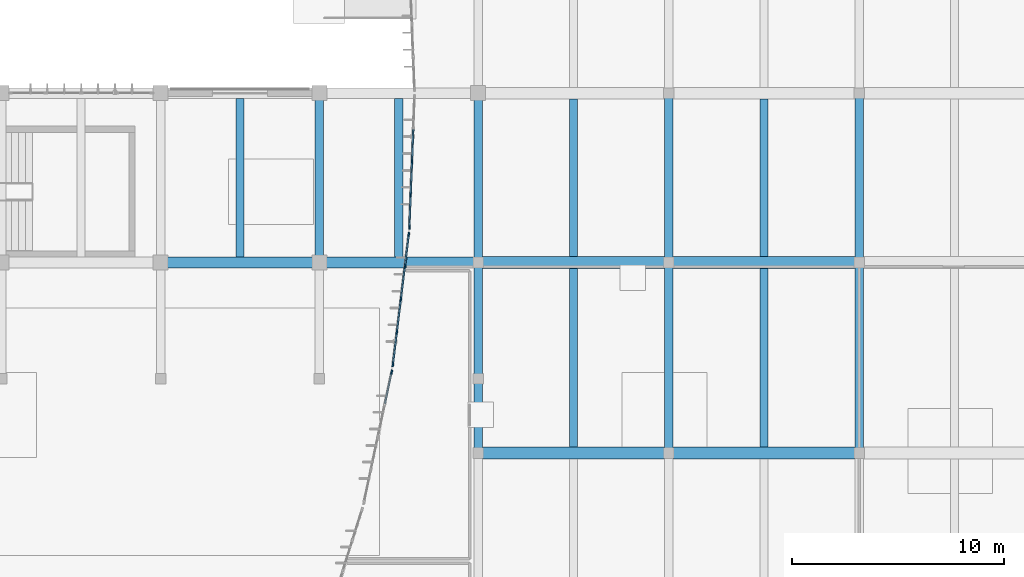
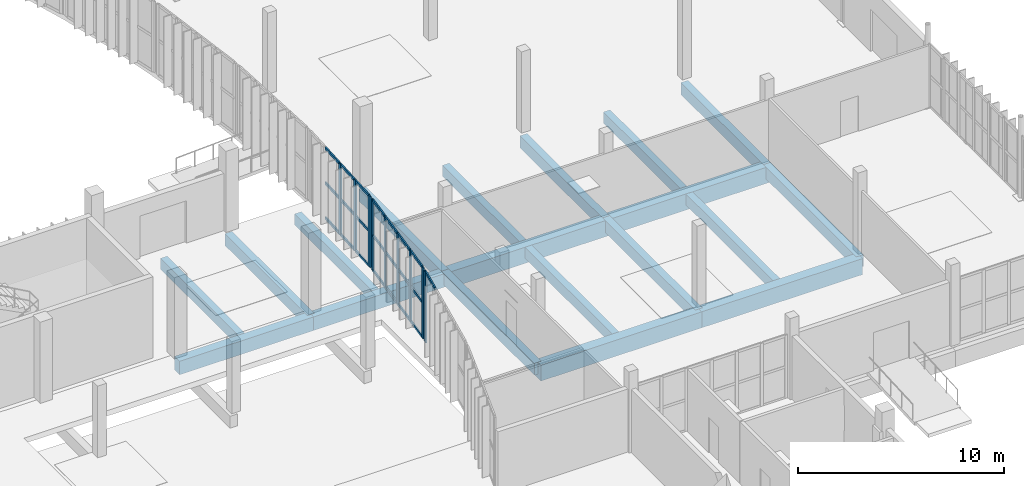
# One storey, part 26 of 72: 31 members, 19 beams, 3 elements without a shape of their own.
"""IFC4 building model written with IfcOpenShell, lengths in metres."""

from ifc_helpers import new_model, si_unit, direction, frame, origin, origin_2d, place, context, subcontext, project, spatial, rectangle, extrude, material, material_profile, profile_set, type_object, element, aggregate, save


model = new_model("IFC4")

# Units and contexts
model_context = context("Model", 3, precision=1e-05, world=origin(), true_north=direction((0.0, 1.0)))
body_context = subcontext(model_context, "Body", "Model", "MODEL_VIEW")
ifc_project = project(units=[si_unit("LENGTHUNIT", "METRE"), si_unit("AREAUNIT", "SQUARE_METRE"), si_unit("VOLUMEUNIT", "CUBIC_METRE"), si_unit("PLANEANGLEUNIT", "RADIAN"), si_unit("MASSUNIT", "GRAM", prefix="KILO")], contexts=[model_context])

# Site, building, storey
site_placement = place(None, origin())
site = spatial("IfcSite", under=ifc_project, at=site_placement, CompositionType="ELEMENT")
building_placement = place(site_placement, origin())
building = spatial("IfcBuilding", under=site, at=building_placement, Name="Vourika Railside Aquatics Centre", CompositionType="ELEMENT")
storey_placement = place(building_placement, origin())
storey = spatial("IfcBuildingStorey", under=building, at=storey_placement, Name="L00", CompositionType="ELEMENT", Elevation=0.0)

# Beams
ifc_material_1 = material(Name="Concrete C35/45", Category="concrete")
ifc_material_profile_1 = material_profile(ifc_material_1, rectangle(XDim=0.39990234375, YDim=0.699951171875, at=origin_2d()), Name="RC 400x700")
ifc_profile_set_1 = profile_set([ifc_material_profile_1], Name="Concrete C35/45")
beam_type_1 = type_object("IfcBeamType", Name="BM-GIRD-400x700", PredefinedType="BEAM", material=ifc_profile_set_1)
beam_1_placement = place(storey_placement, frame((133.5, 58.0, -0.669921875), z_axis=(0.0, 1.0, 0.0), x_axis=(-1.0, 0.0, 0.0)))
element("IfcBeam", 1, at=beam_1_placement, inside=storey, type_object=beam_type_1, Name="Floor Girder GY-L00-313", PredefinedType="BEAM", context=body_context, shape_type="SweptSolid", body=[
    extrude(rectangle(XDim=0.39990234375, YDim=0.699951171875, at=origin_2d()), origin(), (0.0, 0.0, 1.0), 8.0),
])
beam_2_placement = place(storey_placement, frame((141.0, 49.0, -0.669921875), z_axis=(0.0, 1.0, 0.0), x_axis=(-1.0, 0.0, 0.0)))
element("IfcBeam", 2, at=beam_2_placement, inside=storey, type_object=beam_type_1, Name="Floor Girder GY-L00-322", PredefinedType="BEAM", context=body_context, shape_type="SweptSolid", body=[
    extrude(rectangle(XDim=0.39990234375, YDim=0.699951171875, at=origin_2d()), origin(), (0.0, 0.0, 1.0), 9.0),
])
beam_3_placement = place(storey_placement, frame((141.0, 58.0, -0.669921875), z_axis=(0.0, 1.0, 0.0), x_axis=(-1.0, 0.0, 0.0)))
element("IfcBeam", 3, at=beam_3_placement, inside=storey, type_object=beam_type_1, Name="Floor Girder GY-L00-323", PredefinedType="BEAM", context=body_context, shape_type="SweptSolid", body=[
    extrude(rectangle(XDim=0.39990234375, YDim=0.699951171875, at=origin_2d()), origin(), (0.0, 0.0, 1.0), 8.0),
])
beam_4_placement = place(storey_placement, frame((150.0, 49.0, -0.669921875), z_axis=(0.0, 1.0, 0.0), x_axis=(-1.0, 0.0, 0.0)))
element("IfcBeam", 4, at=beam_4_placement, inside=storey, type_object=beam_type_1, Name="Floor Girder GY-L00-333", PredefinedType="BEAM", context=body_context, shape_type="SweptSolid", body=[
    extrude(rectangle(XDim=0.39990234375, YDim=0.699951171875, at=origin_2d()), origin(), (0.0, 0.0, 1.0), 9.0),
])
beam_5_placement = place(storey_placement, frame((150.0, 58.0, -0.669921875), z_axis=(0.0, 1.0, 0.0), x_axis=(-1.0, 0.0, 0.0)))
element("IfcBeam", 5, at=beam_5_placement, inside=storey, type_object=beam_type_1, Name="Floor Girder GY-L00-334", PredefinedType="BEAM", context=body_context, shape_type="SweptSolid", body=[
    extrude(rectangle(XDim=0.39990234375, YDim=0.699951171875, at=origin_2d()), origin(), (0.0, 0.0, 1.0), 8.0),
])
beam_6_placement = place(storey_placement, frame((159.0, 49.0, -0.669921875), z_axis=(0.0, 1.0, 0.0), x_axis=(-1.0, 0.0, 0.0)))
element("IfcBeam", 6, at=beam_6_placement, inside=storey, type_object=beam_type_1, Name="Floor Girder GY-L00-339", PredefinedType="BEAM", context=body_context, shape_type="SweptSolid", body=[
    extrude(rectangle(XDim=0.39990234375, YDim=0.699951171875, at=origin_2d()), origin(), (0.0, 0.0, 1.0), 9.0),
])
beam_7_placement = place(storey_placement, frame((159.0, 58.0, -0.669921875), z_axis=(0.0, 1.0, 0.0), x_axis=(-1.0, 0.0, 0.0)))
element("IfcBeam", 7, at=beam_7_placement, inside=storey, type_object=beam_type_1, Name="Floor Girder GY-L00-340", PredefinedType="BEAM", context=body_context, shape_type="SweptSolid", body=[
    extrude(rectangle(XDim=0.39990234375, YDim=0.699951171875, at=origin_2d()), origin(), (0.0, 0.0, 1.0), 8.0),
])
ifc_material_2 = material(Name="Concrete C40/50", Category="concrete")
ifc_material_profile_2 = material_profile(ifc_material_2, rectangle(XDim=0.550048828125, YDim=0.949951171875, at=origin_2d()), Name="RC 550x950")
ifc_profile_set_2 = profile_set([ifc_material_profile_2], Name="Concrete C40/50")
beam_type_2 = type_object("IfcBeamType", Name="BM-GIRD-550x950", PredefinedType="BEAM", material=ifc_profile_set_2)
for number, where, z_axis, x_axis, name in (
    (8, (141.0, 49.0, -0.794921875), (1.0, 0.0, 0.0), (0.0, 1.0, 0.0), "Floor Beam GX-L00-071"),
    (9, (150.0, 49.0, -0.794921875), (1.0, 0.0, 0.0), (0.0, 1.0, 0.0), "Floor Beam GX-L00-072"),
    (10, (141.0, 58.0, -0.794921875), (1.0, 0.0, 0.0), (0.0, 1.0, 0.0), "Floor Beam GX-L00-092"),
    (11, (150.0, 58.0, -0.794921875), (1.0, 0.0, 0.0), (0.0, 1.0, 0.0), "Floor Beam GX-L00-093"),
):
    element("IfcBeam", number, at=place(storey_placement, frame(where, z_axis=z_axis, x_axis=x_axis)), inside=storey, type_object=beam_type_2, Name=name, PredefinedType="BEAM", context=body_context, shape_type="SweptSolid", body=[
        extrude(rectangle(XDim=0.550048828125, YDim=0.949951171875, at=origin_2d()), origin(), (0.0, 0.0, 1.0), 9.0),
    ])
ifc_material_profile_3 = material_profile(ifc_material_1, rectangle(XDim=0.3798828125, YDim=0.64990234375, at=origin_2d()), Name="RC 380x650")
ifc_profile_set_3 = profile_set([ifc_material_profile_3], Name="Concrete C35/45")
beam_type_3 = type_object("IfcBeamType", Name="BM-SEC-380x650", PredefinedType="JOIST", material=ifc_profile_set_3)
for number, where, z_axis, x_axis, name in (
    (12, (145.5, 49.27490234375, -0.64501953125), (0.0, 1.0, 0.0), (-1.0, 0.0, 0.0), "Secondary Joist JY-L00-397"),
    (13, (154.5, 49.27490234375, -0.64501953125), (0.0, 1.0, 0.0), (-1.0, 0.0, 0.0), "Secondary Joist JY-L00-398"),
):
    element("IfcBeam", number, at=place(storey_placement, frame(where, z_axis=z_axis, x_axis=x_axis)), inside=storey, type_object=beam_type_3, Name=name, PredefinedType="JOIST", context=body_context, shape_type="SweptSolid", body=[
        extrude(rectangle(XDim=0.3798828125, YDim=0.64990234375, at=origin_2d()), origin(), (0.0, 0.0, 1.0), 8.4501953125),
    ])
for number, where, z_axis, x_axis, name in (
    (14, (129.75, 58.25, -0.64501953125), (0.0, 1.0, 0.0), (-1.0, 0.0, 0.0), "Secondary Joist JY-L00-414"),
    (15, (137.25, 58.25, -0.64501953125), (0.0, 1.0, 0.0), (-1.0, 0.0, 0.0), "Secondary Joist JY-L00-415"),
):
    element("IfcBeam", number, at=place(storey_placement, frame(where, z_axis=z_axis, x_axis=x_axis)), inside=storey, type_object=beam_type_3, Name=name, PredefinedType="JOIST", context=body_context, shape_type="SweptSolid", body=[
        extrude(rectangle(XDim=0.3798828125, YDim=0.64990234375, at=origin_2d()), origin(), (0.0, 0.0, 1.0), 7.5),
    ])
for number, where, z_axis, x_axis, name in (
    (16, (145.5, 58.27490234375, -0.64501953125), (0.0, 1.0, 0.0), (-1.0, 0.0, 0.0), "Secondary Joist JY-L00-416"),
    (17, (154.5, 58.27490234375, -0.64501953125), (0.0, 1.0, 0.0), (-1.0, 0.0, 0.0), "Secondary Joist JY-L00-417"),
):
    element("IfcBeam", number, at=place(storey_placement, frame(where, z_axis=z_axis, x_axis=x_axis)), inside=storey, type_object=beam_type_3, Name=name, PredefinedType="JOIST", context=body_context, shape_type="SweptSolid", body=[
        extrude(rectangle(XDim=0.3798828125, YDim=0.64990234375, at=origin_2d()), origin(), (0.0, 0.0, 1.0), 7.4501953125),
    ])
ifc_material_profile_4 = material_profile(ifc_material_2, rectangle(XDim=0.5, YDim=0.800048828125, at=origin_2d()), Name="RC 500x800")
ifc_profile_set_4 = profile_set([ifc_material_profile_4], Name="Concrete C40/50")
beam_type_4 = type_object("IfcBeamType", Name="BM-TIE-500x800", PredefinedType="BEAM", material=ifc_profile_set_4)
for number, where, z_axis, x_axis, name in (
    (18, (126.0, 58.0, -0.719970703125), (1.0, 0.0, 0.0), (0.0, 1.0, 0.0), "Floor Beam GX-L00-090"),
    (19, (133.5, 58.0, -0.719970703125), (1.0, 0.0, 0.0), (0.0, 1.0, 0.0), "Floor Beam GX-L00-091"),
):
    element("IfcBeam", number, at=place(storey_placement, frame(where, z_axis=z_axis, x_axis=x_axis)), inside=storey, type_object=beam_type_4, Name=name, PredefinedType="BEAM", context=body_context, shape_type="SweptSolid", body=[
        extrude(rectangle(XDim=0.5, YDim=0.800048828125, at=origin_2d()), origin(), (0.0, 0.0, 1.0), 7.5),
    ])

# Curtain wall, member
ifc_material_3 = material(Name="Anodized thermally broken aluminium", Category="aluminium")
curtain_wall_type = type_object("IfcCurtainWallType", Name="CW-FOYC0", PredefinedType="NOTDEFINED", material=ifc_material_3)
curtain_wall_1_placement = place(storey_placement, origin())
curtain_wall_1 = element("IfcCurtainWall", 20, at=curtain_wall_1_placement, inside=storey, type_object=curtain_wall_type, Name="Curved Courtyard Foyer Curtain Wall L00-2", PredefinedType="NOTDEFINED")
ifc_material_4 = material(Name="Anodized aluminium mullion", Category="aluminium")
ifc_material_profile_5 = material_profile(ifc_material_4, rectangle(XDim=0.073974609375, YDim=0.195068359375, at=origin_2d()), Name="ALU-M 74x195")
ifc_profile_set_5 = profile_set([ifc_material_profile_5], Name="Anodized aluminium mullion")
member_type_1 = type_object("IfcMemberType", Name="CWM-FOYC0", PredefinedType="MULLION", material=ifc_profile_set_5)
member_1_placement = place(storey_placement, frame((136.914306640625, 52.82373046875, 0.0), z_axis=(0.0, 0.0, 1.0), x_axis=(0.978214773139, -0.207595418094, 0.0)))
member_1 = element("IfcMember", 21, at=member_1_placement, type_object=member_type_1, Name="CW07 mullion 1", PredefinedType="MULLION", context=body_context, shape_type="SweptSolid", body=[
    extrude(rectangle(XDim=0.073974609375, YDim=0.195068359375, at=origin_2d()), origin(), (0.0, 0.0, 1.0), 4.199951171875),
])

# Curtain wall, members
curtain_wall_2_placement = place(storey_placement, origin())
curtain_wall_2 = element("IfcCurtainWall", 22, at=curtain_wall_2_placement, inside=storey, type_object=curtain_wall_type, Name="Curved Courtyard Foyer Curtain Wall L00-3", PredefinedType="NOTDEFINED")
member_2_placement = place(storey_placement, frame((137.724609375, 59.3232421875, 0.0), z_axis=(0.0, 0.0, 1.0), x_axis=(0.992598563525, -0.121441721361, 0.0)))
member_2 = element("IfcMember", 23, at=member_2_placement, type_object=member_type_1, Name="CW07 mullion 1", PredefinedType="MULLION", context=body_context, shape_type="SweptSolid", body=[
    extrude(rectangle(XDim=0.073974609375, YDim=0.195068359375, at=origin_2d()), origin(), (0.0, 0.0, 1.0), 4.199951171875),
])
member_3_placement = place(storey_placement, frame((137.538818359375, 57.804931640625, 0.0), z_axis=(0.0, 0.0, 1.0), x_axis=(0.992598563525, -0.121441721361, 0.0)))
member_3 = element("IfcMember", 24, at=member_3_placement, type_object=member_type_1, Name="CW07 mullion 2", PredefinedType="MULLION", context=body_context, shape_type="SweptSolid", body=[
    extrude(rectangle(XDim=0.073974609375, YDim=0.195068359375, at=origin_2d()), origin(), (0.0, 0.0, 1.0), 4.199951171875),
])
member_4_placement = place(storey_placement, frame((137.348388671875, 56.25, 0.0), z_axis=(0.0, 0.0, 1.0), x_axis=(0.992598563525, -0.121441721361, 0.0)))
member_4 = element("IfcMember", 25, at=member_4_placement, type_object=member_type_1, Name="CW07 mullion 3", PredefinedType="MULLION", context=body_context, shape_type="SweptSolid", body=[
    extrude(rectangle(XDim=0.073974609375, YDim=0.195068359375, at=origin_2d()), origin(), (0.0, 0.0, 1.0), 4.199951171875),
])
member_5_placement = place(storey_placement, frame((137.158203125, 54.695068359375, 0.0), z_axis=(0.0, 0.0, 1.0), x_axis=(0.992598563525, -0.121441721361, 0.0)))
member_5 = element("IfcMember", 26, at=member_5_placement, type_object=member_type_1, Name="CW07 mullion 4", PredefinedType="MULLION", context=body_context, shape_type="SweptSolid", body=[
    extrude(rectangle(XDim=0.073974609375, YDim=0.195068359375, at=origin_2d()), origin(), (0.0, 0.0, 1.0), 4.199951171875),
])
member_6_placement = place(storey_placement, frame((136.972412109375, 53.1767578125, 0.0), z_axis=(0.0, 0.0, 1.0), x_axis=(0.992598563525, -0.121441721361, 0.0)))
member_6 = element("IfcMember", 27, at=member_6_placement, type_object=member_type_1, Name="CW07 mullion 5", PredefinedType="MULLION", context=body_context, shape_type="SweptSolid", body=[
    extrude(rectangle(XDim=0.073974609375, YDim=0.195068359375, at=origin_2d()), origin(), (0.0, 0.0, 1.0), 4.199951171875),
])

curtain_wall_3_placement = place(storey_placement, origin())
curtain_wall_3 = element("IfcCurtainWall", 28, at=curtain_wall_3_placement, inside=storey, type_object=curtain_wall_type, Name="Curved Courtyard Foyer Curtain Wall L00-4", PredefinedType="NOTDEFINED")
member_7_placement = place(storey_placement, frame((137.87548828125, 62.75, 0.0), z_axis=(0.0, 0.0, 1.0), x_axis=(0.999199675116, -0.040000115606, 0.0)))
member_7 = element("IfcMember", 29, at=member_7_placement, type_object=member_type_1, Name="CW07 mullion 3", PredefinedType="MULLION", context=body_context, shape_type="SweptSolid", body=[
    extrude(rectangle(XDim=0.073974609375, YDim=0.195068359375, at=origin_2d()), origin(), (0.0, 0.0, 1.0), 4.199951171875),
])
member_8_placement = place(storey_placement, frame((137.813232421875, 61.195068359375, 0.0), z_axis=(0.0, 0.0, 1.0), x_axis=(0.999199675116, -0.040000115606, 0.0)))
member_8 = element("IfcMember", 30, at=member_8_placement, type_object=member_type_1, Name="CW07 mullion 4", PredefinedType="MULLION", context=body_context, shape_type="SweptSolid", body=[
    extrude(rectangle(XDim=0.073974609375, YDim=0.195068359375, at=origin_2d()), origin(), (0.0, 0.0, 1.0), 4.199951171875),
])
member_9_placement = place(storey_placement, frame((137.75244140625, 59.677001953125, 0.0), z_axis=(0.0, 0.0, 1.0), x_axis=(0.999199675116, -0.040000115606, 0.0)))
member_9 = element("IfcMember", 31, at=member_9_placement, type_object=member_type_1, Name="CW07 mullion 5", PredefinedType="MULLION", context=body_context, shape_type="SweptSolid", body=[
    extrude(rectangle(XDim=0.073974609375, YDim=0.195068359375, at=origin_2d()), origin(), (0.0, 0.0, 1.0), 4.199951171875),
])

# Member
ifc_material_5 = material(Name="Anodized aluminium transom", Category="aluminium")
ifc_material_profile_6 = material_profile(ifc_material_5, rectangle(XDim=0.073974609375, YDim=0.155029296875, at=origin_2d()), Name="ALU-T 74x155")
ifc_profile_set_6 = profile_set([ifc_material_profile_6], Name="Anodized aluminium transom")
member_type_2 = type_object("IfcMemberType", Name="CWT-FOYC0", PredefinedType="USERDEFINED", material=ifc_profile_set_6)
member_10_placement = place(storey_placement, frame((136.90673828125, 52.78759765625, 4.1630859375), z_axis=(-0.207724463541, -0.978187378393, 0.0), x_axis=(0.978187378393, -0.207724463541, 0.0)))
member_10 = element("IfcMember", 32, at=member_10_placement, type_object=member_type_2, Name="CW07 transom 1.3", ObjectType="TRANSOM", PredefinedType="USERDEFINED", context=body_context, shape_type="SweptSolid", body=[
    extrude(rectangle(XDim=0.073974609375, YDim=0.155029296875, at=origin_2d()), origin(), (0.0, 0.0, 1.0), 1.478515625),
])

aggregate(curtain_wall_1, [member_1, member_10])

member_11_placement = place(storey_placement, frame((137.719970703125, 59.28662109375, 0.037109375), z_axis=(-0.121433272784, -0.992599597149, 0.0), x_axis=(0.992599597149, -0.121433272784, 0.0)))
member_11 = element("IfcMember", 33, at=member_11_placement, type_object=member_type_2, Name="CW07 transom 1.1", ObjectType="TRANSOM", PredefinedType="USERDEFINED", context=body_context, shape_type="SweptSolid", body=[
    extrude(rectangle(XDim=0.073974609375, YDim=0.155029296875, at=origin_2d()), origin(), (0.0, 0.0, 1.0), 1.45556640625),
])

member_12_placement = place(storey_placement, frame((137.719970703125, 59.28662109375, 2.10009765625), z_axis=(-0.121433272784, -0.992599597149, 0.0), x_axis=(0.992599597149, -0.121433272784, 0.0)))
member_12 = element("IfcMember", 34, at=member_12_placement, type_object=member_type_2, Name="CW07 transom 1.2", ObjectType="TRANSOM", PredefinedType="USERDEFINED", context=body_context, shape_type="SweptSolid", body=[
    extrude(rectangle(XDim=0.073974609375, YDim=0.155029296875, at=origin_2d()), origin(), (0.0, 0.0, 1.0), 1.45556640625),
])

member_13_placement = place(storey_placement, frame((137.719970703125, 59.28662109375, 4.1630859375), z_axis=(-0.121433272784, -0.992599597149, 0.0), x_axis=(0.992599597149, -0.121433272784, 0.0)))
member_13 = element("IfcMember", 35, at=member_13_placement, type_object=member_type_2, Name="CW07 transom 1.3", ObjectType="TRANSOM", PredefinedType="USERDEFINED", context=body_context, shape_type="SweptSolid", body=[
    extrude(rectangle(XDim=0.073974609375, YDim=0.155029296875, at=origin_2d()), origin(), (0.0, 0.0, 1.0), 1.45556640625),
])

member_14_placement = place(storey_placement, frame((137.5341796875, 57.768310546875, 0.037109375), z_axis=(-0.121357030774, -0.99260892152, 0.0), x_axis=(0.99260892152, -0.121357030774, 0.0)))
member_14 = element("IfcMember", 36, at=member_14_placement, type_object=member_type_2, Name="CW07 transom 2.1", ObjectType="TRANSOM", PredefinedType="USERDEFINED", context=body_context, shape_type="SweptSolid", body=[
    extrude(rectangle(XDim=0.073974609375, YDim=0.155029296875, at=origin_2d()), origin(), (0.0, 0.0, 1.0), 1.49267578125),
])

member_15_placement = place(storey_placement, frame((137.5341796875, 57.768310546875, 2.10009765625), z_axis=(-0.121357030774, -0.99260892152, 0.0), x_axis=(0.99260892152, -0.121357030774, 0.0)))
member_15 = element("IfcMember", 37, at=member_15_placement, type_object=member_type_2, Name="CW07 transom 2.2", ObjectType="TRANSOM", PredefinedType="USERDEFINED", context=body_context, shape_type="SweptSolid", body=[
    extrude(rectangle(XDim=0.073974609375, YDim=0.155029296875, at=origin_2d()), origin(), (0.0, 0.0, 1.0), 1.49267578125),
])

member_16_placement = place(storey_placement, frame((137.5341796875, 57.768310546875, 4.1630859375), z_axis=(-0.121357030774, -0.99260892152, 0.0), x_axis=(0.99260892152, -0.121357030774, 0.0)))
member_16 = element("IfcMember", 38, at=member_16_placement, type_object=member_type_2, Name="CW07 transom 2.3", ObjectType="TRANSOM", PredefinedType="USERDEFINED", context=body_context, shape_type="SweptSolid", body=[
    extrude(rectangle(XDim=0.073974609375, YDim=0.155029296875, at=origin_2d()), origin(), (0.0, 0.0, 1.0), 1.49267578125),
])

member_17_placement = place(storey_placement, frame((137.343994140625, 56.21337890625, 0.037109375), z_axis=(-0.121357030774, -0.99260892152, 0.0), x_axis=(0.99260892152, -0.121357030774, 0.0)))
member_17 = element("IfcMember", 39, at=member_17_placement, type_object=member_type_2, Name="CW07 transom 3.1", ObjectType="TRANSOM", PredefinedType="USERDEFINED", context=body_context, shape_type="SweptSolid", body=[
    extrude(rectangle(XDim=0.073974609375, YDim=0.155029296875, at=origin_2d()), origin(), (0.0, 0.0, 1.0), 1.49267578125),
])

member_18_placement = place(storey_placement, frame((137.343994140625, 56.21337890625, 2.10009765625), z_axis=(-0.121357030774, -0.99260892152, 0.0), x_axis=(0.99260892152, -0.121357030774, 0.0)))
member_18 = element("IfcMember", 40, at=member_18_placement, type_object=member_type_2, Name="CW07 transom 3.2", ObjectType="TRANSOM", PredefinedType="USERDEFINED", context=body_context, shape_type="SweptSolid", body=[
    extrude(rectangle(XDim=0.073974609375, YDim=0.155029296875, at=origin_2d()), origin(), (0.0, 0.0, 1.0), 1.49267578125),
])

member_19_placement = place(storey_placement, frame((137.343994140625, 56.21337890625, 4.1630859375), z_axis=(-0.121357030774, -0.99260892152, 0.0), x_axis=(0.99260892152, -0.121357030774, 0.0)))
member_19 = element("IfcMember", 41, at=member_19_placement, type_object=member_type_2, Name="CW07 transom 3.3", ObjectType="TRANSOM", PredefinedType="USERDEFINED", context=body_context, shape_type="SweptSolid", body=[
    extrude(rectangle(XDim=0.073974609375, YDim=0.155029296875, at=origin_2d()), origin(), (0.0, 0.0, 1.0), 1.49267578125),
])

member_20_placement = place(storey_placement, frame((137.15380859375, 54.658203125, 0.037109375), z_axis=(-0.121433272784, -0.992599597149, 0.0), x_axis=(0.992599597149, -0.121433272784, 0.0)))
member_20 = element("IfcMember", 42, at=member_20_placement, type_object=member_type_2, Name="CW07 transom 4.1", ObjectType="TRANSOM", PredefinedType="USERDEFINED", context=body_context, shape_type="SweptSolid", body=[
    extrude(rectangle(XDim=0.073974609375, YDim=0.155029296875, at=origin_2d()), origin(), (0.0, 0.0, 1.0), 1.45556640625),
])

member_21_placement = place(storey_placement, frame((137.15380859375, 54.658203125, 2.10009765625), z_axis=(-0.121433272784, -0.992599597149, 0.0), x_axis=(0.992599597149, -0.121433272784, 0.0)))
member_21 = element("IfcMember", 43, at=member_21_placement, type_object=member_type_2, Name="CW07 transom 4.2", ObjectType="TRANSOM", PredefinedType="USERDEFINED", context=body_context, shape_type="SweptSolid", body=[
    extrude(rectangle(XDim=0.073974609375, YDim=0.155029296875, at=origin_2d()), origin(), (0.0, 0.0, 1.0), 1.45556640625),
])

member_22_placement = place(storey_placement, frame((137.15380859375, 54.658203125, 4.1630859375), z_axis=(-0.121433272784, -0.992599597149, 0.0), x_axis=(0.992599597149, -0.121433272784, 0.0)))
member_22 = element("IfcMember", 44, at=member_22_placement, type_object=member_type_2, Name="CW07 transom 4.3", ObjectType="TRANSOM", PredefinedType="USERDEFINED", context=body_context, shape_type="SweptSolid", body=[
    extrude(rectangle(XDim=0.073974609375, YDim=0.155029296875, at=origin_2d()), origin(), (0.0, 0.0, 1.0), 1.45556640625),
])

aggregate(curtain_wall_2, [member_2, member_3, member_4, member_5, member_6, member_11, member_12, member_13, member_14, member_15, member_16, member_17, member_18, member_19, member_20, member_21, member_22])

member_23_placement = place(storey_placement, frame((137.936279296875, 64.26806640625, 0.037109375), z_axis=(-0.040020656204, -0.99919885262, 0.0), x_axis=(0.99919885262, -0.040020656204, 0.0)))
member_23 = element("IfcMember", 45, at=member_23_placement, type_object=member_type_2, Name="CW07 transom 2.1", ObjectType="TRANSOM", PredefinedType="USERDEFINED", context=body_context, shape_type="SweptSolid", body=[
    extrude(rectangle(XDim=0.073974609375, YDim=0.155029296875, at=origin_2d()), origin(), (0.0, 0.0, 1.0), 1.482421875),
])

member_24_placement = place(storey_placement, frame((137.936279296875, 64.26806640625, 2.10009765625), z_axis=(-0.040020656204, -0.99919885262, 0.0), x_axis=(0.99919885262, -0.040020656204, 0.0)))
member_24 = element("IfcMember", 46, at=member_24_placement, type_object=member_type_2, Name="CW07 transom 2.2", ObjectType="TRANSOM", PredefinedType="USERDEFINED", context=body_context, shape_type="SweptSolid", body=[
    extrude(rectangle(XDim=0.073974609375, YDim=0.155029296875, at=origin_2d()), origin(), (0.0, 0.0, 1.0), 1.482421875),
])

member_25_placement = place(storey_placement, frame((137.936279296875, 64.26806640625, 4.1630859375), z_axis=(-0.040020656204, -0.99919885262, 0.0), x_axis=(0.99919885262, -0.040020656204, 0.0)))
member_25 = element("IfcMember", 47, at=member_25_placement, type_object=member_type_2, Name="CW07 transom 2.3", ObjectType="TRANSOM", PredefinedType="USERDEFINED", context=body_context, shape_type="SweptSolid", body=[
    extrude(rectangle(XDim=0.073974609375, YDim=0.155029296875, at=origin_2d()), origin(), (0.0, 0.0, 1.0), 1.482421875),
])

member_26_placement = place(storey_placement, frame((137.8740234375, 62.713134765625, 0.037109375), z_axis=(-0.040020656204, -0.99919885262, 0.0), x_axis=(0.99919885262, -0.040020656204, 0.0)))
member_26 = element("IfcMember", 48, at=member_26_placement, type_object=member_type_2, Name="CW07 transom 3.1", ObjectType="TRANSOM", PredefinedType="USERDEFINED", context=body_context, shape_type="SweptSolid", body=[
    extrude(rectangle(XDim=0.073974609375, YDim=0.155029296875, at=origin_2d()), origin(), (0.0, 0.0, 1.0), 1.482421875),
])

member_27_placement = place(storey_placement, frame((137.8740234375, 62.713134765625, 2.10009765625), z_axis=(-0.040020656204, -0.99919885262, 0.0), x_axis=(0.99919885262, -0.040020656204, 0.0)))
member_27 = element("IfcMember", 49, at=member_27_placement, type_object=member_type_2, Name="CW07 transom 3.2", ObjectType="TRANSOM", PredefinedType="USERDEFINED", context=body_context, shape_type="SweptSolid", body=[
    extrude(rectangle(XDim=0.073974609375, YDim=0.155029296875, at=origin_2d()), origin(), (0.0, 0.0, 1.0), 1.482421875),
])

member_28_placement = place(storey_placement, frame((137.8740234375, 62.713134765625, 4.1630859375), z_axis=(-0.040020656204, -0.99919885262, 0.0), x_axis=(0.99919885262, -0.040020656204, 0.0)))
member_28 = element("IfcMember", 50, at=member_28_placement, type_object=member_type_2, Name="CW07 transom 3.3", ObjectType="TRANSOM", PredefinedType="USERDEFINED", context=body_context, shape_type="SweptSolid", body=[
    extrude(rectangle(XDim=0.073974609375, YDim=0.155029296875, at=origin_2d()), origin(), (0.0, 0.0, 1.0), 1.482421875),
])

member_29_placement = place(storey_placement, frame((137.811767578125, 61.157958984375, 0.037109375), z_axis=(-0.040035500783, -0.999198257943, 0.0), x_axis=(0.999198257943, -0.040035500783, 0.0)))
member_29 = element("IfcMember", 51, at=member_29_placement, type_object=member_type_2, Name="CW07 transom 4.1", ObjectType="TRANSOM", PredefinedType="USERDEFINED", context=body_context, shape_type="SweptSolid", body=[
    extrude(rectangle(XDim=0.073974609375, YDim=0.155029296875, at=origin_2d()), origin(), (0.0, 0.0, 1.0), 1.4453125),
])

member_30_placement = place(storey_placement, frame((137.811767578125, 61.157958984375, 2.10009765625), z_axis=(-0.040035500783, -0.999198257943, 0.0), x_axis=(0.999198257943, -0.040035500783, 0.0)))
member_30 = element("IfcMember", 52, at=member_30_placement, type_object=member_type_2, Name="CW07 transom 4.2", ObjectType="TRANSOM", PredefinedType="USERDEFINED", context=body_context, shape_type="SweptSolid", body=[
    extrude(rectangle(XDim=0.073974609375, YDim=0.155029296875, at=origin_2d()), origin(), (0.0, 0.0, 1.0), 1.4453125),
])

member_31_placement = place(storey_placement, frame((137.811767578125, 61.157958984375, 4.1630859375), z_axis=(-0.040035500783, -0.999198257943, 0.0), x_axis=(0.999198257943, -0.040035500783, 0.0)))
member_31 = element("IfcMember", 53, at=member_31_placement, type_object=member_type_2, Name="CW07 transom 4.3", ObjectType="TRANSOM", PredefinedType="USERDEFINED", context=body_context, shape_type="SweptSolid", body=[
    extrude(rectangle(XDim=0.073974609375, YDim=0.155029296875, at=origin_2d()), origin(), (0.0, 0.0, 1.0), 1.4453125),
])

aggregate(curtain_wall_3, [member_7, member_8, member_9, member_23, member_24, member_25, member_26, member_27, member_28, member_29, member_30, member_31])

save(model, "model.ifc")
